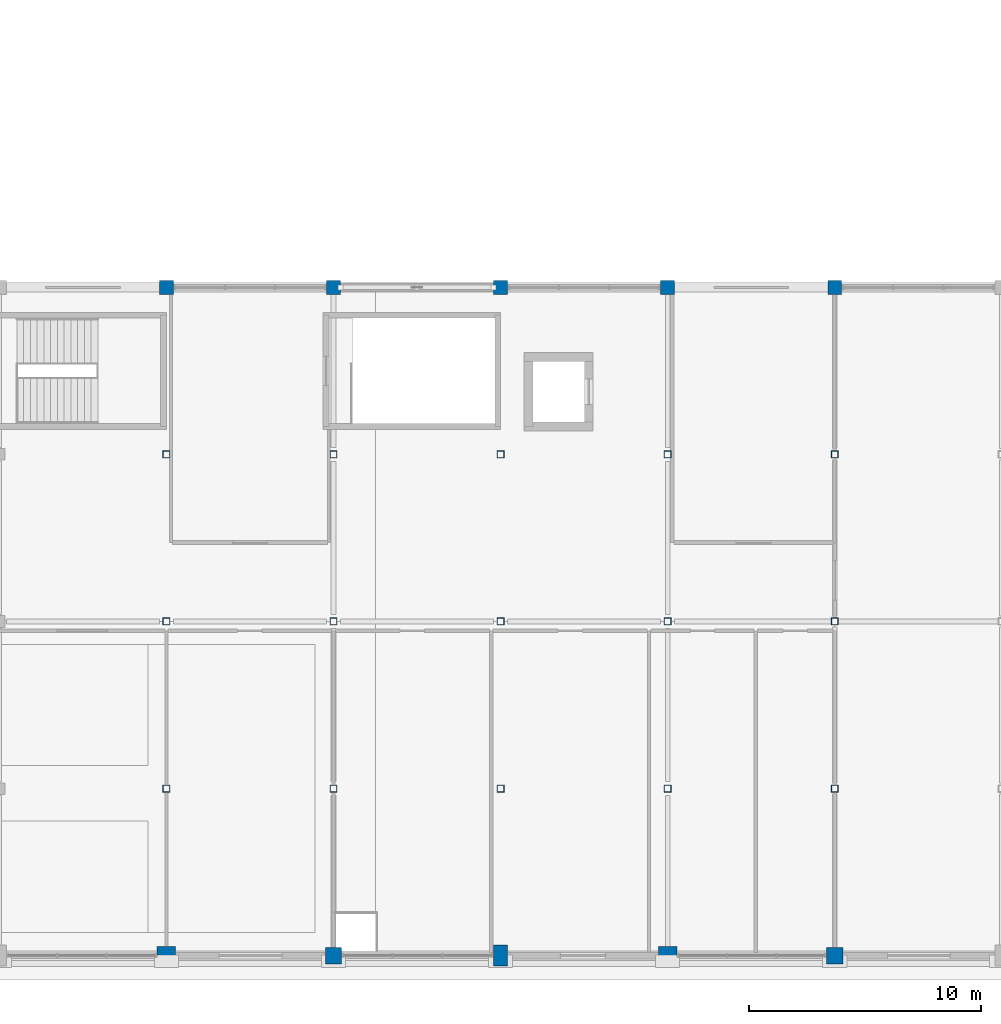
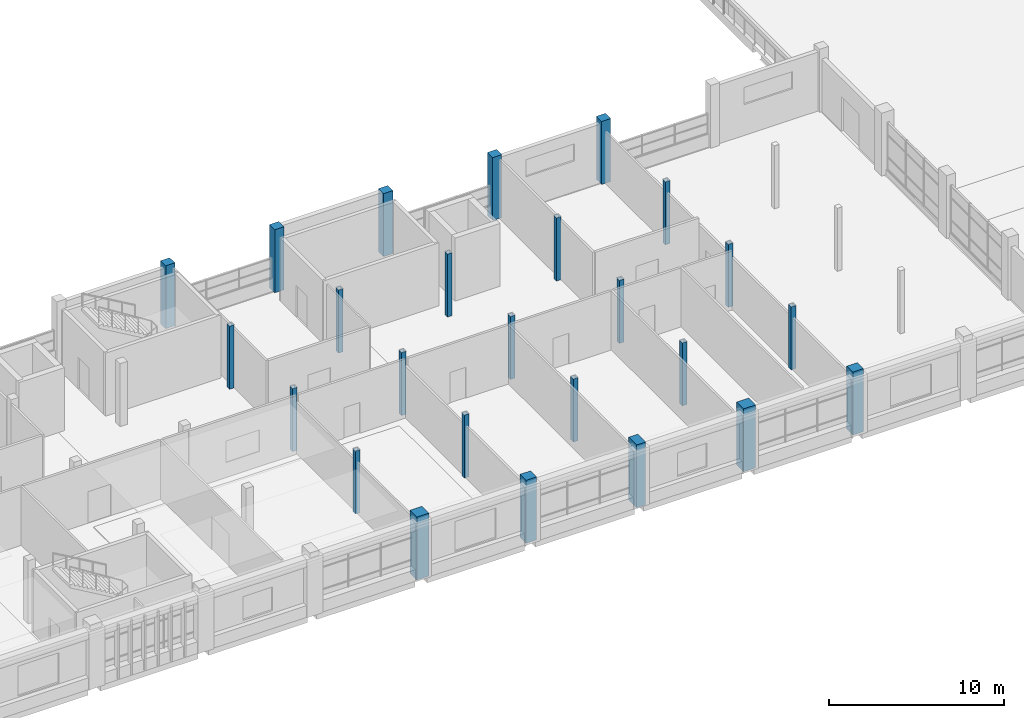
# One storey, part 4 of 71: 25 columns.
"""IFC4 building model written with IfcOpenShell, lengths in metres."""

from ifc_helpers import new_model, si_unit, direction, frame, origin, origin_2d, place, context, subcontext, project, spatial, rectangle, hollow_rectangle, extrude, material, material_profile, profile_set, type_object, element, save


model = new_model("IFC4")

# Units and contexts
model_context = context("Model", 3, precision=1e-05, world=origin(), true_north=direction((0.0, 1.0)))
body_context = subcontext(model_context, "Body", "Model", "MODEL_VIEW")
ifc_project = project(units=[si_unit("LENGTHUNIT", "METRE"), si_unit("AREAUNIT", "SQUARE_METRE"), si_unit("VOLUMEUNIT", "CUBIC_METRE"), si_unit("PLANEANGLEUNIT", "RADIAN"), si_unit("MASSUNIT", "GRAM", prefix="KILO")], contexts=[model_context])

# Site, building, storey
site_placement = place(None, origin())
site = spatial("IfcSite", under=ifc_project, at=site_placement, CompositionType="ELEMENT")
building_placement = place(site_placement, origin())
building = spatial("IfcBuilding", under=site, at=building_placement, Name="Sardonyx Promenade Sports Hall", CompositionType="ELEMENT")
storey_placement = place(building_placement, frame((0.0, 0.0, 16.0)))
storey = spatial("IfcBuildingStorey", under=building, at=storey_placement, Name="L03", CompositionType="ELEMENT", Elevation=16.0)

# Columns
ifc_material_1 = material(Name="Concrete C40/50", Category="concrete")
ifc_material_profile_1 = material_profile(ifc_material_1, rectangle(XDim=0.60009765625, YDim=0.60009765625, at=origin_2d()))
ifc_profile_set_1 = profile_set([ifc_material_profile_1], Name="Concrete C40/50")
column_type_1 = type_object("IfcColumnType", Name="Col_Ext_RC600", PredefinedType="COLUMN", material=ifc_profile_set_1)
for number, where, z_axis, x_axis, name in (
    (1, (64.800048828125, 28.800048828125, 0.0), (0.0, 0.0, 1.0), (1.0, 0.0, 0.0), "Column CE11 L03 (64.8,28.8)"),
    (2, (72.0, 28.800048828125, 0.0), (0.0, 0.0, 1.0), (1.0, 0.0, 0.0), "Column CE11 L03 (72.0,28.8)"),
    (3, (79.199951171875, 28.800048828125, 0.0), (0.0, 0.0, 1.0), (1.0, 0.0, 0.0), "Column CE11 L03 (79.2,28.8)"),
    (4, (86.39990234375, 28.800048828125, 0.0), (0.0, 0.0, 1.0), (1.0, 0.0, 0.0), "Column CE11 L03 (86.4,28.8)"),
    (5, (93.60009765625, 28.800048828125, 0.0), (0.0, 0.0, 1.0), (1.0, 0.0, 0.0), "Column CE11 L03 (93.6,28.8)"),
):
    element("IfcColumn", number, at=place(storey_placement, frame(where, z_axis=z_axis, x_axis=x_axis)), inside=storey, type_object=column_type_1, Name=name, PredefinedType="COLUMN", context=body_context, shape_type="SweptSolid", body=[
        extrude(rectangle(XDim=0.60009765625, YDim=0.60009765625, at=origin_2d()), origin(), (0.0, 0.0, 1.0), 4.39990234375),
    ])
ifc_material_2 = material(Name="Concrete C40/50", Category="concrete")
ifc_material_profile_2 = material_profile(ifc_material_2, rectangle(XDim=0.60009765625, YDim=0.89990234375, at=origin_2d()))
ifc_profile_set_2 = profile_set([ifc_material_profile_2], Name="Concrete C40/50")
column_type_2 = type_object("IfcColumnType", Name="Col_Ext_RC600x900", PredefinedType="COLUMN", material=ifc_profile_set_2)
column_placement = place(storey_placement, frame((79.199951171875, 0.0, 0.0), z_axis=(0.0, 0.0, 1.0), x_axis=(1.0, 0.0, 0.0)))
element("IfcColumn", 6, at=column_placement, inside=storey, type_object=column_type_2, Name="Column CE12 L03 (79.2,0.0)", PredefinedType="COLUMN", context=body_context, shape_type="SweptSolid", body=[
    extrude(rectangle(XDim=0.60009765625, YDim=0.89990234375, at=origin_2d()), origin(), (0.0, 0.0, 1.0), 4.39990234375),
])
ifc_material_3 = material(Name="Concrete C40/50", Category="concrete")
ifc_material_profile_3 = material_profile(ifc_material_3, rectangle(XDim=0.699951171875, YDim=0.699951171875, at=origin_2d()))
ifc_profile_set_3 = profile_set([ifc_material_profile_3], Name="Concrete C40/50")
column_type_3 = type_object("IfcColumnType", Name="Col_Ext_RC700", PredefinedType="COLUMN", material=ifc_profile_set_3)
for number, where, z_axis, x_axis, name in (
    (7, (72.0, 0.0, 0.0), (0.0, 0.0, 1.0), (1.0, 0.0, 0.0), "Column CE05 L03 (72.0,0.0)"),
    (8, (93.60009765625, 0.0, 0.0), (0.0, 0.0, 1.0), (1.0, 0.0, 0.0), "Column CE05 L03 (93.6,0.0)"),
):
    element("IfcColumn", number, at=place(storey_placement, frame(where, z_axis=z_axis, x_axis=x_axis)), inside=storey, type_object=column_type_3, Name=name, PredefinedType="COLUMN", context=body_context, shape_type="SweptSolid", body=[
        extrude(rectangle(XDim=0.699951171875, YDim=0.699951171875, at=origin_2d()), origin(), (0.0, 0.0, 1.0), 4.39990234375),
    ])
ifc_material_4 = material(Name="Concrete C50/60", Category="concrete")
ifc_material_profile_4 = material_profile(ifc_material_4, rectangle(XDim=0.800048828125, YDim=0.800048828125, at=origin_2d()))
ifc_profile_set_4 = profile_set([ifc_material_profile_4], Name="Concrete C50/60")
column_type_4 = type_object("IfcColumnType", Name="Col_Ext_RC800", PredefinedType="COLUMN", material=ifc_profile_set_4)
for number, where, z_axis, x_axis, name in (
    (9, (64.800048828125, 0.0, 0.0), (0.0, 0.0, 1.0), (1.0, 0.0, 0.0), "Column CE13 L03 (64.8,0.0)"),
    (10, (86.39990234375, 0.0, 0.0), (0.0, 0.0, 1.0), (1.0, 0.0, 0.0), "Column CE13 L03 (86.4,0.0)"),
):
    element("IfcColumn", number, at=place(storey_placement, frame(where, z_axis=z_axis, x_axis=x_axis)), inside=storey, type_object=column_type_4, Name=name, PredefinedType="COLUMN", context=body_context, shape_type="SweptSolid", body=[
        extrude(rectangle(XDim=0.800048828125, YDim=0.800048828125, at=origin_2d()), origin(), (0.0, 0.0, 1.0), 4.39990234375),
    ])
ifc_material_5 = material(Name="Steel S355JR", Category="steel")
ifc_material_profile_5 = material_profile(ifc_material_5, hollow_rectangle(XDim=0.300048828125, YDim=0.300048828125, WallThickness=0.012451171875, at=origin_2d()))
ifc_profile_set_5 = profile_set([ifc_material_profile_5], Name="Steel S355JR")
column_type_5 = type_object("IfcColumnType", Name="Col_Int_SHS300", PredefinedType="COLUMN", material=ifc_profile_set_5)
for number, where, z_axis, x_axis, name in (
    (11, (64.800048828125, 7.199951171875, 0.0), (0.0, 0.0, 1.0), (1.0, 0.0, 0.0), "Column CI09 L03 (64.8,7.2)"),
    (12, (64.800048828125, 14.39990234375, 0.0), (0.0, 0.0, 1.0), (1.0, 0.0, 0.0), "Column CI09 L03 (64.8,14.4)"),
    (13, (64.800048828125, 21.60009765625, 0.0), (0.0, 0.0, 1.0), (1.0, 0.0, 0.0), "Column CI09 L03 (64.8,21.6)"),
    (14, (72.0, 7.199951171875, 0.0), (0.0, 0.0, 1.0), (1.0, 0.0, 0.0), "Column CI09 L03 (72.0,7.2)"),
    (15, (72.0, 14.39990234375, 0.0), (0.0, 0.0, 1.0), (1.0, 0.0, 0.0), "Column CI09 L03 (72.0,14.4)"),
    (16, (72.0, 21.60009765625, 0.0), (0.0, 0.0, 1.0), (1.0, 0.0, 0.0), "Column CI09 L03 (72.0,21.6)"),
    (17, (79.199951171875, 7.199951171875, 0.0), (0.0, 0.0, 1.0), (1.0, 0.0, 0.0), "Column CI09 L03 (79.2,7.2)"),
    (18, (79.199951171875, 14.39990234375, 0.0), (0.0, 0.0, 1.0), (1.0, 0.0, 0.0), "Column CI09 L03 (79.2,14.4)"),
    (19, (79.199951171875, 21.60009765625, 0.0), (0.0, 0.0, 1.0), (1.0, 0.0, 0.0), "Column CI09 L03 (79.2,21.6)"),
    (20, (86.39990234375, 7.199951171875, 0.0), (0.0, 0.0, 1.0), (1.0, 0.0, 0.0), "Column CI09 L03 (86.4,7.2)"),
    (21, (86.39990234375, 14.39990234375, 0.0), (0.0, 0.0, 1.0), (1.0, 0.0, 0.0), "Column CI09 L03 (86.4,14.4)"),
    (22, (86.39990234375, 21.60009765625, 0.0), (0.0, 0.0, 1.0), (1.0, 0.0, 0.0), "Column CI09 L03 (86.4,21.6)"),
    (23, (93.60009765625, 7.199951171875, 0.0), (0.0, 0.0, 1.0), (1.0, 0.0, 0.0), "Column CI09 L03 (93.6,7.2)"),
    (24, (93.60009765625, 14.39990234375, 0.0), (0.0, 0.0, 1.0), (1.0, 0.0, 0.0), "Column CI09 L03 (93.6,14.4)"),
    (25, (93.60009765625, 21.60009765625, 0.0), (0.0, 0.0, 1.0), (1.0, 0.0, 0.0), "Column CI09 L03 (93.6,21.6)"),
):
    element("IfcColumn", number, at=place(storey_placement, frame(where, z_axis=z_axis, x_axis=x_axis)), inside=storey, type_object=column_type_5, Name=name, PredefinedType="COLUMN", context=body_context, shape_type="SweptSolid", body=[
        extrude(hollow_rectangle(XDim=0.300048828125, YDim=0.300048828125, WallThickness=0.012451171875, at=origin_2d()), origin(), (0.0, 0.0, 1.0), 4.39990234375),
    ])

save(model, "model.ifc")
